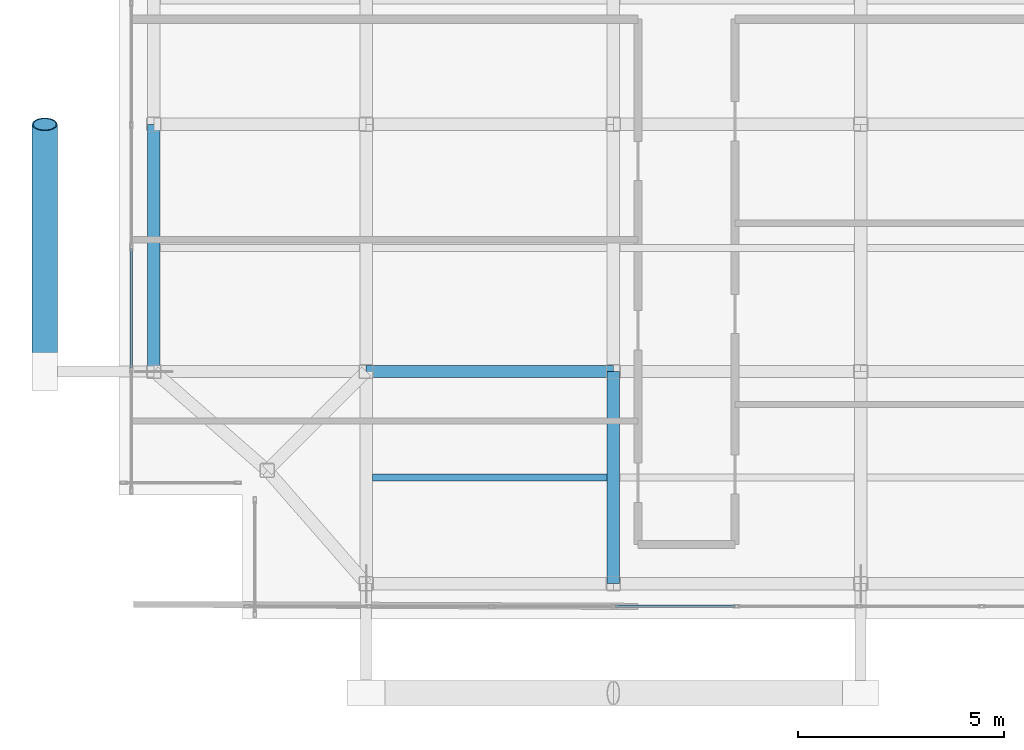
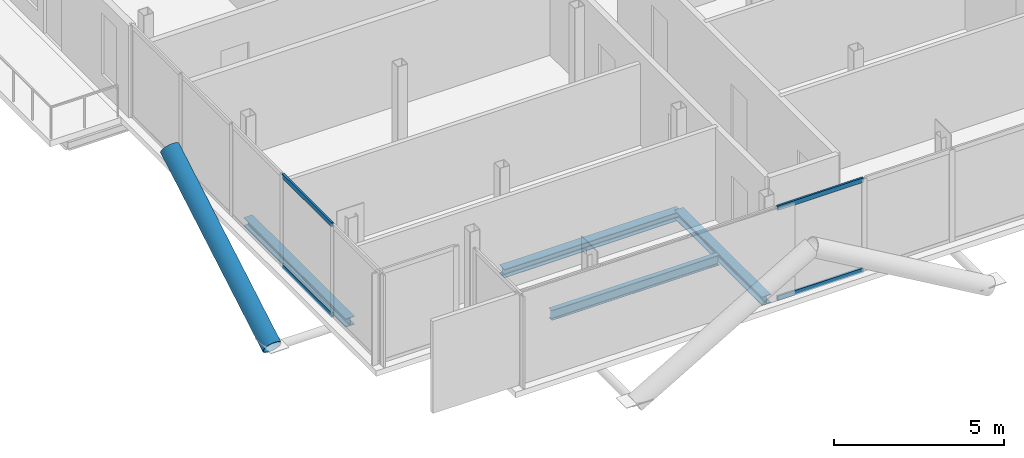
# One storey, part 3 of 19: 5 members, 4 beams, 2 elements without a shape of their own.
"""IFC4 building model written with IfcOpenShell, lengths in metres."""

from ifc_helpers import new_model, si_unit, direction, frame, origin, origin_2d, place, context, subcontext, project, spatial, hollow_rectangle, hollow_circle, i_section, extrude, material, layer, layer_set, material_profile, profile_set, type_object, element, aggregate, save


model = new_model("IFC4")

# Units and contexts
model_context = context("Model", 3, precision=1e-05, world=origin(), true_north=direction((0.0, 1.0)))
body_context = subcontext(model_context, "Body", "Model", "MODEL_VIEW")
ifc_project = project(units=[si_unit("LENGTHUNIT", "METRE"), si_unit("AREAUNIT", "SQUARE_METRE"), si_unit("VOLUMEUNIT", "CUBIC_METRE"), si_unit("PLANEANGLEUNIT", "RADIAN"), si_unit("MASSUNIT", "GRAM", prefix="KILO"), si_unit("THERMODYNAMICTEMPERATUREUNIT", "KELVIN"), si_unit("POWERUNIT", "WATT")], contexts=[model_context])

# Site, building, storey
site_placement = place(None, origin())
site = spatial("IfcSite", under=ifc_project, at=site_placement, CompositionType="ELEMENT")
building_placement = place(site_placement, origin())
building = spatial("IfcBuilding", under=site, at=building_placement, Name="Svarakhadi Broadcast Tower", CompositionType="ELEMENT")
storey_placement = place(building_placement, frame((0.0, 0.0, 271.199951171875)))
storey = spatial("IfcBuildingStorey", under=building, at=storey_placement, Name="L68", CompositionType="ELEMENT", Elevation=271.199951171875)

# Beam
ifc_material_1 = material(Name="Steel S355J2 (IS 2062 E350C)", Category="steel")
ifc_material_profile_1 = material_profile(ifc_material_1, i_section(OverallWidth=0.169921875, OverallDepth=0.360107421875, WebThickness=0.008056640625, FlangeThickness=0.0126953125, FilletRadius=0.01806640625, at=origin_2d()), Name="NPB 360x170x57")
ifc_profile_set_1 = profile_set([ifc_material_profile_1], Name="Steel S355J2 (IS 2062 E350C)")
beam_type_1 = type_object("IfcBeamType", Name="Beam_NPB360", PredefinedType="BEAM", material=ifc_profile_set_1)
beam_1_placement = place(storey_placement, frame((6.159912109375, 3.425048828125, -0.3798828125), z_axis=(1.0, 0.0, 0.0), x_axis=(0.0, 1.0, 0.0)))
element("IfcBeam", 1, at=beam_1_placement, inside=storey, type_object=beam_type_1, Name="L68 Secondary Composite Beam SB004", PredefinedType="BEAM", context=body_context, shape_type="SweptSolid", body=[
    extrude(i_section(OverallWidth=0.169921875, OverallDepth=0.360107421875, WebThickness=0.008056640625, FlangeThickness=0.0126953125, FilletRadius=0.01806640625, at=origin_2d()), origin(), (0.0, 0.0, 1.0), 5.68017578125),
])

# Curtain wall, members
ifc_material_2 = material(Name="Anodised Bronze Aluminium AA 6063-T6", Category="aluminium")
ifc_layer = layer(ifc_material_2, 0.179931640625)
ifc_layer_set = layer_set([ifc_layer], Name="Anodised Bronze Aluminium AA 6063-T6")
curtain_wall_type = type_object("IfcCurtainWallType", Name="CW_Sys_05", PredefinedType="NOTDEFINED", material=ifc_layer_set)
curtain_wall_1_placement = place(storey_placement, origin())
curtain_wall_1 = element("IfcCurtainWall", 2, at=curtain_wall_1_placement, inside=storey, type_object=curtain_wall_type, Name="L68 West Curtain Wall 02", PredefinedType="NOTDEFINED")
ifc_material_profile_2 = material_profile(ifc_material_2, hollow_rectangle(XDim=0.06494140625, YDim=0.1650390625, WallThickness=0.0048828125, at=origin_2d()), Name="ALU TRANSOM 165x65x5")
ifc_profile_set_2 = profile_set([ifc_material_profile_2], Name="Anodised Bronze Aluminium AA 6063-T6")
member_type_1 = type_object("IfcMemberType", Name="CW_Sys_05_Trn", PredefinedType="USERDEFINED", material=ifc_profile_set_2)
member_1_placement = place(storey_placement, frame((0.300048828125, 6.089111328125, 0.032470703125), z_axis=(0.0, 1.0, 0.0), x_axis=(-1.0, 0.0, 0.0)))
member_1 = element("IfcMember", 3, at=member_1_placement, type_object=member_type_1, Name="CW-05 transom 2.1", ObjectType="TRANSOM", PredefinedType="USERDEFINED", context=body_context, shape_type="SweptSolid", body=[
    extrude(hollow_rectangle(XDim=0.06494140625, YDim=0.1650390625, WallThickness=0.0048828125, at=origin_2d()), origin(), (0.0, 0.0, 1.0), 2.893798828125),
])
member_2_placement = place(storey_placement, frame((0.300048828125, 6.089111328125, 3.267578125), z_axis=(0.0, 1.0, 0.0), x_axis=(-1.0, 0.0, 0.0)))
member_2 = element("IfcMember", 4, at=member_2_placement, type_object=member_type_1, Name="CW-05 transom 2.2", ObjectType="TRANSOM", PredefinedType="USERDEFINED", context=body_context, shape_type="SweptSolid", body=[
    extrude(hollow_rectangle(XDim=0.06494140625, YDim=0.1650390625, WallThickness=0.0048828125, at=origin_2d()), origin(), (0.0, 0.0, 1.0), 2.893798828125),
])
aggregate(curtain_wall_1, [member_1, member_2])

curtain_wall_2_placement = place(storey_placement, origin())
curtain_wall_2 = element("IfcCurtainWall", 5, at=curtain_wall_2_placement, inside=storey, type_object=curtain_wall_type, Name="L68 South Curtain Wall 15", PredefinedType="NOTDEFINED")
member_3_placement = place(storey_placement, frame((14.9521484375, 0.300048828125, 0.032470703125), z_axis=(-1.0, 0.0, 0.0), x_axis=(0.0, -1.0, 0.0)))
member_3 = element("IfcMember", 6, at=member_3_placement, type_object=member_type_1, Name="CW-05 transom 4.1", ObjectType="TRANSOM", PredefinedType="USERDEFINED", context=body_context, shape_type="SweptSolid", body=[
    extrude(hollow_rectangle(XDim=0.06494140625, YDim=0.1650390625, WallThickness=0.0048828125, at=origin_2d()), origin(), (0.0, 0.0, 1.0), 2.904296875),
])
member_4_placement = place(storey_placement, frame((14.9521484375, 0.300048828125, 3.267578125), z_axis=(-1.0, 0.0, 0.0), x_axis=(0.0, -1.0, 0.0)))
member_4 = element("IfcMember", 7, at=member_4_placement, type_object=member_type_1, Name="CW-05 transom 4.2", ObjectType="TRANSOM", PredefinedType="USERDEFINED", context=body_context, shape_type="SweptSolid", body=[
    extrude(hollow_rectangle(XDim=0.06494140625, YDim=0.1650390625, WallThickness=0.0048828125, at=origin_2d()), origin(), (0.0, 0.0, 1.0), 2.904296875),
])
aggregate(curtain_wall_2, [member_3, member_4])

# Member
ifc_material_3 = material(Name="Steel S460ML (IS 2062 E450BR)", Category="steel")
ifc_material_profile_3 = material_profile(ifc_material_3, hollow_circle(Radius=0.304931640625, WallThickness=0.030029296875, at=origin_2d()), Name="CHS 610x30")
ifc_profile_set_3 = profile_set([ifc_material_profile_3], Name="Steel S460ML (IS 2062 E450BR)")
member_type_2 = type_object("IfcMemberType", Name="Exo_Brace_CHS610", PredefinedType="BRACE", material=ifc_profile_set_3)
member_5_placement = place(storey_placement, frame((-1.800048828125, 6.0, -0.33642578125), z_axis=(0.0, 0.863778900898, 0.503871025524), x_axis=(-1.0, 0.0, 0.0)))
element("IfcMember", 8, at=member_5_placement, inside=storey, type_object=member_type_2, Name="L68 Exposed Bronze Exoskeleton Diagonal W03", PredefinedType="BRACE", context=body_context, shape_type="SweptSolid", body=[
    extrude(hollow_circle(Radius=0.304931640625, WallThickness=0.030029296875, at=origin_2d()), origin(), (0.0, 0.0, 1.0), 6.9462890625),
])

# Beams
ifc_material_profile_4 = material_profile(ifc_material_1, i_section(OverallWidth=0.300048828125, OverallDepth=0.300048828125, WebThickness=0.010986328125, FlangeThickness=0.01904296875, FilletRadius=0.027099609375, at=origin_2d()), Name="WPB 300x300x117")
ifc_profile_set_4 = profile_set([ifc_material_profile_4], Name="Steel S355J2 (IS 2062 E350C)")
beam_type_2 = type_object("IfcBeamType", Name="Girder_WPB300", PredefinedType="USERDEFINED", material=ifc_profile_set_4)
for number, where, z_axis, x_axis, name in (
    (9, (6.0, 6.0, -0.349853515625), (1.0, 0.0, 0.0), (0.0, 1.0, 0.0), "L68 Primary E-W Girder G009"),
    (10, (0.85009765625, 6.0, -0.349853515625), (0.0, 1.0, 0.0), (-1.0, 0.0, 0.0), "L68 Primary N-S Girder G026"),
):
    element("IfcBeam", number, at=place(storey_placement, frame(where, z_axis=z_axis, x_axis=x_axis)), inside=storey, type_object=beam_type_2, Name=name, ObjectType="GIRDER", PredefinedType="USERDEFINED", context=body_context, shape_type="SweptSolid", body=[
        extrude(i_section(OverallWidth=0.300048828125, OverallDepth=0.300048828125, WebThickness=0.010986328125, FlangeThickness=0.01904296875, FilletRadius=0.027099609375, at=origin_2d()), origin(), (0.0, 0.0, 1.0), 6.0),
    ])
beam_2_placement = place(storey_placement, frame((12.0, 0.85009765625, -0.349853515625), z_axis=(0.0, 1.0, 0.0), x_axis=(-1.0, 0.0, 0.0)))
element("IfcBeam", 11, at=beam_2_placement, inside=storey, type_object=beam_type_2, Name="L68 Primary N-S Girder G033", ObjectType="GIRDER", PredefinedType="USERDEFINED", context=body_context, shape_type="SweptSolid", body=[
    extrude(i_section(OverallWidth=0.300048828125, OverallDepth=0.300048828125, WebThickness=0.010986328125, FlangeThickness=0.01904296875, FilletRadius=0.027099609375, at=origin_2d()), origin(), (0.0, 0.0, 1.0), 5.14990234375),
])

save(model, "model.ifc")
